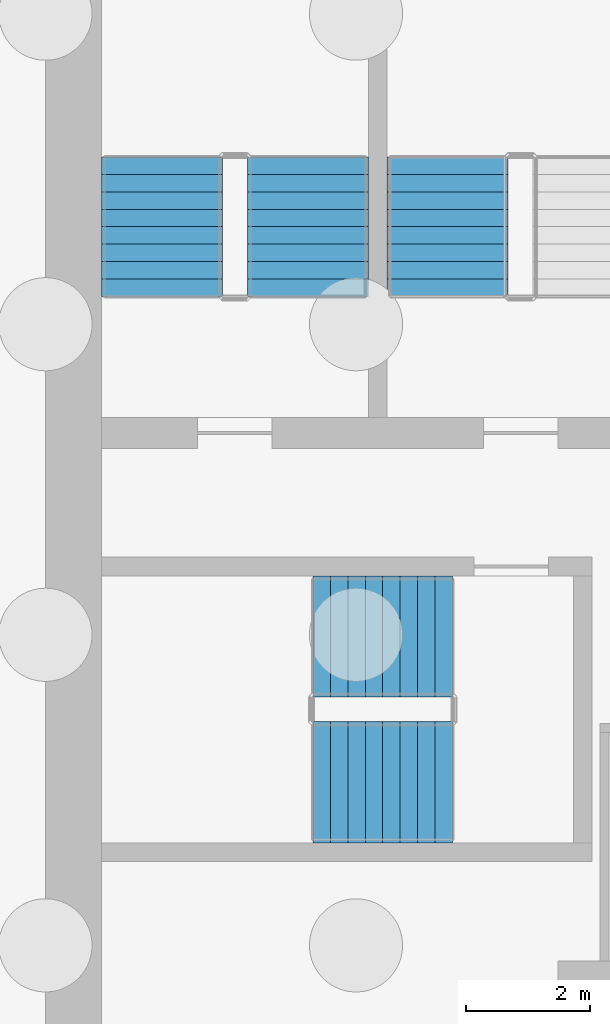
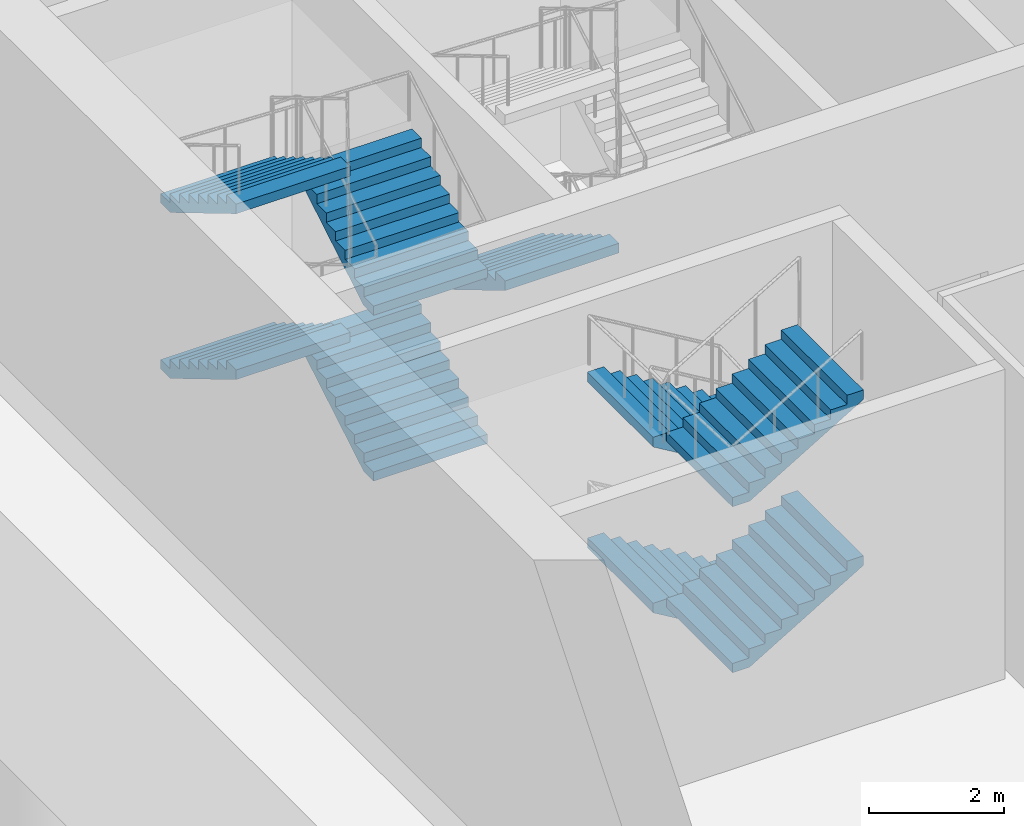
# One storey, part 12 of 25: 9 stair flights, 3 elements without a shape of their own.
"""IFC4 building model written with IfcOpenShell, lengths in metres."""

import ifcopenshell
import ifcopenshell.guid

model = None  # the IFC model being written
_history = None  # IfcOwnerHistory: only IFC2X3 demands one
_inside = {}  # id of a spatial element -> (the spatial element, [elements in it])
_under = {}  # id of a project, library or spatial element -> (it, [spatial elements below it])
_declared = {}  # id of a project -> (the project, [libraries it declares])
_typed = {}  # id of a type object -> (the type object, [elements of that type])
_made_of = {}  # id of a material, layer set ... -> (it, [elements and type objects made of it])


def new_model(schema):
    """Start an empty IFC model of exactly this schema.

    Asked for "IFC4X3", IfcOpenShell would pick the latest addendum, in which some entities
    have other attributes; the version numbers below select the first issue.
    IFC2X3 requires an IfcOwnerHistory on every rooted entity: one is made here for all.
    """
    global model, _history
    if schema == "IFC4X3":
        model = ifcopenshell.file(schema_version=(4, 3, 0, 0))
    else:
        model = ifcopenshell.file(schema=schema)
    _inside.clear()
    _under.clear()
    _declared.clear()
    _typed.clear()
    _made_of.clear()
    _history = None
    if model.schema == "IFC2X3":
        org = make("IfcOrganization", Name="unknown")
        user = make(
            "IfcPersonAndOrganization",
            ThePerson=make("IfcPerson", FamilyName="unknown"),
            TheOrganization=org,
        )
        app = make(
            "IfcApplication",
            ApplicationDeveloper=org,
            Version="unknown",
            ApplicationFullName="unknown",
            ApplicationIdentifier="unknown",
        )
        _history = make(
            "IfcOwnerHistory",
            OwningUser=user,
            OwningApplication=app,
            ChangeAction="ADDED",
            CreationDate=0,
        )
    return model


def make(cls, **values):
    """One entity of the class cls with the attributes given. An attribute that is None is left unset."""
    return model.create_entity(
        cls, **{name: value for name, value in values.items() if value is not None}
    )


def rooted(cls, **values):
    """An entity with a GlobalId (a new one), such as an element, a storey or a relation."""
    return make(cls, GlobalId=ifcopenshell.guid.new(), OwnerHistory=_history, **values)


def si_unit(unit_type, name, prefix=None):
    """IfcSIUnit, for example si_unit("LENGTHUNIT", "METRE", prefix="MILLI")."""
    return make("IfcSIUnit", UnitType=unit_type, Prefix=prefix, Name=name)


def assignment(units):
    """IfcUnitAssignment: the units of a project."""
    return None if units is None else make("IfcUnitAssignment", Units=units)


def point(xyz):
    """IfcCartesianPoint."""
    return None if xyz is None else make("IfcCartesianPoint", Coordinates=xyz)


def direction(xyz):
    """IfcDirection."""
    return None if xyz is None else make("IfcDirection", DirectionRatios=xyz)


def frame(location, z_axis=None, x_axis=None):
    """IfcAxis2Placement3D, a coordinate frame: its origin and axes. An axis left out is left unset."""
    return make(
        "IfcAxis2Placement3D",
        Location=point(location),
        Axis=direction(z_axis),
        RefDirection=direction(x_axis),
    )


def origin():
    """The frame at (0, 0, 0) with its axes left unset."""
    return frame((0.0, 0.0, 0.0))


def place(relative_to, where):
    """IfcLocalPlacement: puts the frame where relative to a parent placement (None: the world)."""
    return make(
        "IfcLocalPlacement", PlacementRelTo=relative_to, RelativePlacement=where
    )


def context(
    kind, dimensions, precision=None, world=None, true_north=None, identifier=None
):
    """IfcGeometricRepresentationContext, for example the 3D "Model" context."""
    return make(
        "IfcGeometricRepresentationContext",
        ContextIdentifier=identifier,
        ContextType=kind,
        CoordinateSpaceDimension=dimensions,
        Precision=precision,
        WorldCoordinateSystem=world,
        TrueNorth=true_north,
    )


def subcontext(parent, identifier, kind, view, scale=None):
    """IfcGeometricRepresentationSubContext, for example "Body" below "Model"."""
    return make(
        "IfcGeometricRepresentationSubContext",
        ContextIdentifier=identifier,
        ContextType=kind,
        ParentContext=parent,
        TargetScale=scale,
        TargetView=view,
    )


def project(units=None, contexts=None):
    """IfcProject with its units and contexts."""
    return rooted(
        "IfcProject",
        Name="project",
        RepresentationContexts=contexts,
        UnitsInContext=assignment(units),
    )


def spatial(cls, under=None, at=None, **own):
    """A site, building, storey or space (cls), placed at a placement, below another one or the project."""
    s = rooted(cls, ObjectPlacement=at, **own)
    if under is not None:
        _under.setdefault(under.id(), (under, []))[1].append(s)
    return s


def polyline(points):
    """IfcPolyline through the points."""
    return make("IfcPolyline", Points=[point(p) for p in points])


def outline(outer, holes=None, kind="AREA"):
    """IfcArbitraryClosedProfileDef: a profile drawn as a closed curve; with holes, ...WithVoids."""
    if holes is None:
        return make("IfcArbitraryClosedProfileDef", ProfileType=kind, OuterCurve=outer)
    return make(
        "IfcArbitraryProfileDefWithVoids",
        ProfileType=kind,
        OuterCurve=outer,
        InnerCurves=holes,
    )


def extrude(swept, where, along, depth):
    """IfcExtrudedAreaSolid: the profile swept, set in the frame where, extruded along a direction by depth."""
    return make(
        "IfcExtrudedAreaSolid",
        SweptArea=swept,
        Position=where,
        ExtrudedDirection=direction(along),
        Depth=depth,
    )


def shape(context_of_items, identifier, shape_type, items):
    """IfcShapeRepresentation: the items that make up one representation, for example the "Body"."""
    return make(
        "IfcShapeRepresentation",
        ContextOfItems=context_of_items,
        RepresentationIdentifier=identifier,
        RepresentationType=shape_type,
        Items=items,
    )


def material(Name=None, Category=None):
    """IfcMaterial."""
    return make("IfcMaterial", Name=Name, Category=Category)


def made_of(thing, what):
    """Note that an element or type object is made of a material, layer set ...; save() writes the relation."""
    if what is not None:
        _made_of.setdefault(what.id(), (what, []))[1].append(thing)
    return thing


def type_object(cls, material=None, **own):
    """A type object (cls), such as IfcWallType, which elements share."""
    return made_of(rooted(cls, **own), material)


def element(
    cls,
    number,
    at=None,
    inside=None,
    cuts=None,
    type_object=None,
    material=None,
    context=None,
    identifier="Body",
    shape_type=None,
    held_by="IfcProductDefinitionShape",
    body=None,
    shapes=None,
    **own,
):
    """One element of the class cls, such as IfcWall. Its Tag is "e" and its number.

    at: its placement. inside: the storey or other place that contains it. cuts: it is an
    opening in that element (IfcRelVoidsElement). A single representation is given by context,
    identifier, shape_type and body (its items); several are given by shapes. held_by: the class
    of the entity that holds the representations. save() writes the other relations.
    """
    e = rooted(cls, Tag="e%d" % number, ObjectPlacement=at, **own)
    if body is not None:
        shapes = [shape(context, identifier, shape_type, body)]
    if shapes is not None:
        e.Representation = make(held_by, Representations=shapes)
    if inside is not None:
        _inside.setdefault(inside.id(), (inside, []))[1].append(e)
    if cuts is not None:
        rooted(
            "IfcRelVoidsElement", RelatingBuildingElement=cuts, RelatedOpeningElement=e
        )
    if type_object is not None:
        _typed.setdefault(type_object.id(), (type_object, []))[1].append(e)
    return made_of(e, material)


def aggregate(whole, parts):
    """IfcRelAggregates: a whole, such as a stair, and the parts it consists of."""
    return rooted("IfcRelAggregates", RelatingObject=whole, RelatedObjects=parts)


def save(model, path):
    """Write the relations noted so far, then the file.

    IfcRelAggregates (storeys below a building ...), IfcRelContainedInSpatialStructure (elements
    in a storey), IfcRelDefinesByType, IfcRelAssociatesMaterial and IfcRelDeclares: one each for
    every whole, place, type object, material and project.
    """
    for whole, parts in _under.values():
        aggregate(whole, parts)
    for where, things in _inside.values():
        rooted(
            "IfcRelContainedInSpatialStructure",
            RelatedElements=things,
            RelatingStructure=where,
        )
    for kind, things in _typed.values():
        rooted("IfcRelDefinesByType", RelatedObjects=things, RelatingType=kind)
    for what, things in _made_of.values():
        rooted("IfcRelAssociatesMaterial", RelatedObjects=things, RelatingMaterial=what)
    for by, libraries in _declared.values():
        rooted("IfcRelDeclares", RelatingContext=by, RelatedDefinitions=libraries)
    model.write(path)


model = new_model("IFC4")

# Units and contexts
model_context = context("Model", 3, precision=1e-05, world=origin(), true_north=direction((0.0, 1.0)))
body_context = subcontext(model_context, "Body", "Model", "MODEL_VIEW")
ifc_project = project(units=[si_unit("LENGTHUNIT", "METRE"), si_unit("AREAUNIT", "SQUARE_METRE"), si_unit("VOLUMEUNIT", "CUBIC_METRE"), si_unit("PLANEANGLEUNIT", "RADIAN"), si_unit("MASSUNIT", "GRAM", prefix="KILO")], contexts=[model_context])

# Site, building, storey
site_placement = place(None, origin())
site = spatial("IfcSite", under=ifc_project, at=site_placement, CompositionType="ELEMENT")
building_placement = place(site_placement, origin())
building = spatial("IfcBuilding", under=site, at=building_placement, Name="Hunhe Ridgeline Campus", CompositionType="ELEMENT")
storey_placement = place(building_placement, frame((0.0, 0.0, -6.0)))
storey = spatial("IfcBuildingStorey", under=building, at=storey_placement, Name="B1", CompositionType="ELEMENT", Elevation=-6.0)

# Stair, stair flights
ifc_material = material(Name="Concrete C40", Category="concrete")
stair_type = type_object("IfcStairType", Name="Reinforced concrete dog-leg stair 1950 Concrete C40", PredefinedType="HALF_TURN_STAIR", material=ifc_material)
stair_1_placement = place(storey_placement, origin())
stair_1 = element("IfcStair", 1, at=stair_1_placement, inside=storey, type_object=stair_type, Name="B1 S3", PredefinedType="HALF_TURN_STAIR")
stair_flight_type = type_object("IfcStairFlightType", Name="Reinforced concrete stair flight 1950 Concrete C40", PredefinedType="STRAIGHT", material=ifc_material)
stair_flight_1_placement = place(storey_placement, frame((4.22509765625, 65.449951171875, 0.0), z_axis=(0.0, 0.0, 1.0), x_axis=(0.0, 1.0, 0.0)))
stair_flight_1 = element("IfcStairFlight", 2, at=stair_flight_1_placement, type_object=stair_flight_type, Name="ST3 flight 1", NumberOfRisers=9, NumberOfTreads=8, PredefinedType="STRAIGHT", RiserHeight=0.166666667, TreadLength=0.28, context=body_context, shape_type="SweptSolid", body=[
    extrude(outline(polyline([(0.0, 0.0), (0.0, 0.166748046875), (0.280029296875, 0.166748046875), (0.280029296875, 0.333251953125), (0.56005859375, 0.333251953125), (0.56005859375, 0.5), (0.840087890625, 0.5), (0.840087890625, 0.666748046875), (1.1201171875, 0.666748046875), (1.1201171875, 0.833251953125), (1.39990234375, 0.833251953125), (1.39990234375, 1.0), (1.679931640625, 1.0), (1.679931640625, 1.166748046875), (1.9599609375, 1.166748046875), (1.9599609375, 1.333251953125), (2.239990234375, 1.333251953125), (2.239990234375, 1.5), (2.239990234375, 1.158935546875), (0.29296875, 0.0), (0.0, 0.0)])), frame((0.0, 0.97509765625, 0.0), z_axis=(0.0, -1.0, 0.0), x_axis=(1.0, 0.0, 0.0)), (0.0, 0.0, 1.0), 1.949951171875),
    extrude(outline(polyline([(0.030029296875, 0.030029296875), (0.030029296875, 0.13671875), (0.31005859375, 0.13671875), (0.31005859375, 0.30322265625), (0.590087890625, 0.30322265625), (0.590087890625, 0.469970703125), (0.8701171875, 0.469970703125), (0.8701171875, 0.63671875), (1.14990234375, 0.63671875), (1.14990234375, 0.80322265625), (1.429931640625, 0.80322265625), (1.429931640625, 0.969970703125), (1.7099609375, 0.969970703125), (1.7099609375, 1.13671875), (1.989990234375, 1.13671875), (1.989990234375, 1.30322265625), (2.2099609375, 1.30322265625), (2.2099609375, 1.17578125), (0.284912109375, 0.030029296875), (0.030029296875, 0.030029296875)])), frame((0.0, -0.070068359375, 0.0), z_axis=(0.0, -1.0, 0.0), x_axis=(1.0, 0.0, 0.0)), (0.0, 0.0, 1.0), 0.019775390625),
    extrude(outline(polyline([(0.030029296875, 0.030029296875), (0.030029296875, 0.13671875), (0.31005859375, 0.13671875), (0.31005859375, 0.30322265625), (0.590087890625, 0.30322265625), (0.590087890625, 0.469970703125), (0.8701171875, 0.469970703125), (0.8701171875, 0.63671875), (1.14990234375, 0.63671875), (1.14990234375, 0.80322265625), (1.429931640625, 0.80322265625), (1.429931640625, 0.969970703125), (1.7099609375, 0.969970703125), (1.7099609375, 1.13671875), (1.989990234375, 1.13671875), (1.989990234375, 1.30322265625), (2.2099609375, 1.30322265625), (2.2099609375, 1.17578125), (0.284912109375, 0.030029296875), (0.030029296875, 0.030029296875)])), frame((0.0, 0.010009765625, 0.0), z_axis=(0.0, -1.0, 0.0), x_axis=(1.0, 0.0, 0.0)), (0.0, 0.0, 1.0), 0.019775390625),
    extrude(outline(polyline([(0.030029296875, 0.030029296875), (0.030029296875, 0.13671875), (0.31005859375, 0.13671875), (0.31005859375, 0.30322265625), (0.590087890625, 0.30322265625), (0.590087890625, 0.469970703125), (0.8701171875, 0.469970703125), (0.8701171875, 0.63671875), (1.14990234375, 0.63671875), (1.14990234375, 0.80322265625), (1.429931640625, 0.80322265625), (1.429931640625, 0.969970703125), (1.7099609375, 0.969970703125), (1.7099609375, 1.13671875), (1.989990234375, 1.13671875), (1.989990234375, 1.30322265625), (2.2099609375, 1.30322265625), (2.2099609375, 1.17578125), (0.284912109375, 0.030029296875), (0.030029296875, 0.030029296875)])), frame((0.0, 0.090087890625, 0.0), z_axis=(0.0, -1.0, 0.0), x_axis=(1.0, 0.0, 0.0)), (0.0, 0.0, 1.0), 0.019775390625),
])
stair_flight_2_placement = place(storey_placement, frame((1.875, 67.68994140625, 1.5), z_axis=(0.0, 0.0, 1.0), x_axis=(0.0, -1.0, 0.0)))
stair_flight_2 = element("IfcStairFlight", 3, at=stair_flight_2_placement, type_object=stair_flight_type, Name="ST3 flight 2", NumberOfRisers=9, NumberOfTreads=8, PredefinedType="STRAIGHT", RiserHeight=0.166666667, TreadLength=0.28, context=body_context, shape_type="SweptSolid", body=[
    extrude(outline(polyline([(0.0, 0.0), (0.0, 0.166748046875), (0.280029296875, 0.166748046875), (0.280029296875, 0.333251953125), (0.56005859375, 0.333251953125), (0.56005859375, 0.5), (0.840087890625, 0.5), (0.840087890625, 0.666748046875), (1.1201171875, 0.666748046875), (1.1201171875, 0.833251953125), (1.39990234375, 0.833251953125), (1.39990234375, 1.0), (1.679931640625, 1.0), (1.679931640625, 1.166748046875), (1.9599609375, 1.166748046875), (1.9599609375, 1.333251953125), (2.239990234375, 1.333251953125), (2.239990234375, 1.5), (2.239990234375, 1.158935546875), (0.29296875, 0.0), (0.0, 0.0)])), frame((0.0, 0.97509765625, 0.0), z_axis=(0.0, -1.0, 0.0), x_axis=(1.0, 0.0, 0.0)), (0.0, 0.0, 1.0), 1.949951171875),
    extrude(outline(polyline([(0.030029296875, 0.030029296875), (0.030029296875, 0.13671875), (0.31005859375, 0.13671875), (0.31005859375, 0.30322265625), (0.590087890625, 0.30322265625), (0.590087890625, 0.469970703125), (0.8701171875, 0.469970703125), (0.8701171875, 0.63671875), (1.14990234375, 0.63671875), (1.14990234375, 0.80322265625), (1.429931640625, 0.80322265625), (1.429931640625, 0.969970703125), (1.7099609375, 0.969970703125), (1.7099609375, 1.13671875), (1.989990234375, 1.13671875), (1.989990234375, 1.30322265625), (2.2099609375, 1.30322265625), (2.2099609375, 1.17578125), (0.284912109375, 0.030029296875), (0.030029296875, 0.030029296875)])), frame((0.0, -0.070068359375, 0.0), z_axis=(0.0, -1.0, 0.0), x_axis=(1.0, 0.0, 0.0)), (0.0, 0.0, 1.0), 0.019775390625),
    extrude(outline(polyline([(0.030029296875, 0.030029296875), (0.030029296875, 0.13671875), (0.31005859375, 0.13671875), (0.31005859375, 0.30322265625), (0.590087890625, 0.30322265625), (0.590087890625, 0.469970703125), (0.8701171875, 0.469970703125), (0.8701171875, 0.63671875), (1.14990234375, 0.63671875), (1.14990234375, 0.80322265625), (1.429931640625, 0.80322265625), (1.429931640625, 0.969970703125), (1.7099609375, 0.969970703125), (1.7099609375, 1.13671875), (1.989990234375, 1.13671875), (1.989990234375, 1.30322265625), (2.2099609375, 1.30322265625), (2.2099609375, 1.17578125), (0.284912109375, 0.030029296875), (0.030029296875, 0.030029296875)])), frame((0.0, 0.010009765625, 0.0), z_axis=(0.0, -1.0, 0.0), x_axis=(1.0, 0.0, 0.0)), (0.0, 0.0, 1.0), 0.019775390625),
    extrude(outline(polyline([(0.030029296875, 0.030029296875), (0.030029296875, 0.13671875), (0.31005859375, 0.13671875), (0.31005859375, 0.30322265625), (0.590087890625, 0.30322265625), (0.590087890625, 0.469970703125), (0.8701171875, 0.469970703125), (0.8701171875, 0.63671875), (1.14990234375, 0.63671875), (1.14990234375, 0.80322265625), (1.429931640625, 0.80322265625), (1.429931640625, 0.969970703125), (1.7099609375, 0.969970703125), (1.7099609375, 1.13671875), (1.989990234375, 1.13671875), (1.989990234375, 1.30322265625), (2.2099609375, 1.30322265625), (2.2099609375, 1.17578125), (0.284912109375, 0.030029296875), (0.030029296875, 0.030029296875)])), frame((0.0, 0.090087890625, 0.0), z_axis=(0.0, -1.0, 0.0), x_axis=(1.0, 0.0, 0.0)), (0.0, 0.0, 1.0), 0.019775390625),
])
stair_flight_3_placement = place(storey_placement, frame((4.22509765625, 65.449951171875, 3.0), z_axis=(0.0, 0.0, 1.0), x_axis=(0.0, 1.0, 0.0)))
stair_flight_3 = element("IfcStairFlight", 4, at=stair_flight_3_placement, type_object=stair_flight_type, Name="ST3 flight 3", NumberOfRisers=9, NumberOfTreads=8, PredefinedType="STRAIGHT", RiserHeight=0.166666667, TreadLength=0.28, context=body_context, shape_type="SweptSolid", body=[
    extrude(outline(polyline([(0.0, 0.0), (0.0, 0.166748046875), (0.280029296875, 0.166748046875), (0.280029296875, 0.333251953125), (0.56005859375, 0.333251953125), (0.56005859375, 0.5), (0.840087890625, 0.5), (0.840087890625, 0.666748046875), (1.1201171875, 0.666748046875), (1.1201171875, 0.833251953125), (1.39990234375, 0.833251953125), (1.39990234375, 1.0), (1.679931640625, 1.0), (1.679931640625, 1.166748046875), (1.9599609375, 1.166748046875), (1.9599609375, 1.333251953125), (2.239990234375, 1.333251953125), (2.239990234375, 1.5), (2.239990234375, 1.158935546875), (0.29296875, 0.0), (0.0, 0.0)])), frame((0.0, 0.97509765625, 0.0), z_axis=(0.0, -1.0, 0.0), x_axis=(1.0, 0.0, 0.0)), (0.0, 0.0, 1.0), 1.949951171875),
    extrude(outline(polyline([(0.030029296875, 0.030029296875), (0.030029296875, 0.13671875), (0.31005859375, 0.13671875), (0.31005859375, 0.30322265625), (0.590087890625, 0.30322265625), (0.590087890625, 0.469970703125), (0.8701171875, 0.469970703125), (0.8701171875, 0.63671875), (1.14990234375, 0.63671875), (1.14990234375, 0.80322265625), (1.429931640625, 0.80322265625), (1.429931640625, 0.969970703125), (1.7099609375, 0.969970703125), (1.7099609375, 1.13671875), (1.989990234375, 1.13671875), (1.989990234375, 1.30322265625), (2.2099609375, 1.30322265625), (2.2099609375, 1.17578125), (0.284912109375, 0.030029296875), (0.030029296875, 0.030029296875)])), frame((0.0, -0.070068359375, 0.0), z_axis=(0.0, -1.0, 0.0), x_axis=(1.0, 0.0, 0.0)), (0.0, 0.0, 1.0), 0.019775390625),
    extrude(outline(polyline([(0.030029296875, 0.030029296875), (0.030029296875, 0.13671875), (0.31005859375, 0.13671875), (0.31005859375, 0.30322265625), (0.590087890625, 0.30322265625), (0.590087890625, 0.469970703125), (0.8701171875, 0.469970703125), (0.8701171875, 0.63671875), (1.14990234375, 0.63671875), (1.14990234375, 0.80322265625), (1.429931640625, 0.80322265625), (1.429931640625, 0.969970703125), (1.7099609375, 0.969970703125), (1.7099609375, 1.13671875), (1.989990234375, 1.13671875), (1.989990234375, 1.30322265625), (2.2099609375, 1.30322265625), (2.2099609375, 1.17578125), (0.284912109375, 0.030029296875), (0.030029296875, 0.030029296875)])), frame((0.0, 0.010009765625, 0.0), z_axis=(0.0, -1.0, 0.0), x_axis=(1.0, 0.0, 0.0)), (0.0, 0.0, 1.0), 0.019775390625),
    extrude(outline(polyline([(0.030029296875, 0.030029296875), (0.030029296875, 0.13671875), (0.31005859375, 0.13671875), (0.31005859375, 0.30322265625), (0.590087890625, 0.30322265625), (0.590087890625, 0.469970703125), (0.8701171875, 0.469970703125), (0.8701171875, 0.63671875), (1.14990234375, 0.63671875), (1.14990234375, 0.80322265625), (1.429931640625, 0.80322265625), (1.429931640625, 0.969970703125), (1.7099609375, 0.969970703125), (1.7099609375, 1.13671875), (1.989990234375, 1.13671875), (1.989990234375, 1.30322265625), (2.2099609375, 1.30322265625), (2.2099609375, 1.17578125), (0.284912109375, 0.030029296875), (0.030029296875, 0.030029296875)])), frame((0.0, 0.090087890625, 0.0), z_axis=(0.0, -1.0, 0.0), x_axis=(1.0, 0.0, 0.0)), (0.0, 0.0, 1.0), 0.019775390625),
])
stair_flight_4_placement = place(storey_placement, frame((1.875, 67.68994140625, 4.5), z_axis=(0.0, 0.0, 1.0), x_axis=(0.0, -1.0, 0.0)))
stair_flight_4 = element("IfcStairFlight", 5, at=stair_flight_4_placement, type_object=stair_flight_type, Name="ST3 flight 4", NumberOfRisers=9, NumberOfTreads=8, PredefinedType="STRAIGHT", RiserHeight=0.166666667, TreadLength=0.28, context=body_context, shape_type="SweptSolid", body=[
    extrude(outline(polyline([(0.0, 0.0), (0.0, 0.166748046875), (0.280029296875, 0.166748046875), (0.280029296875, 0.333251953125), (0.56005859375, 0.333251953125), (0.56005859375, 0.5), (0.840087890625, 0.5), (0.840087890625, 0.666748046875), (1.1201171875, 0.666748046875), (1.1201171875, 0.833251953125), (1.39990234375, 0.833251953125), (1.39990234375, 1.0), (1.679931640625, 1.0), (1.679931640625, 1.166748046875), (1.9599609375, 1.166748046875), (1.9599609375, 1.333251953125), (2.239990234375, 1.333251953125), (2.239990234375, 1.5), (2.239990234375, 1.158935546875), (0.29296875, 0.0), (0.0, 0.0)])), frame((0.0, 0.97509765625, 0.0), z_axis=(0.0, -1.0, 0.0), x_axis=(1.0, 0.0, 0.0)), (0.0, 0.0, 1.0), 1.949951171875),
    extrude(outline(polyline([(0.030029296875, 0.030029296875), (0.030029296875, 0.13671875), (0.31005859375, 0.13671875), (0.31005859375, 0.30322265625), (0.590087890625, 0.30322265625), (0.590087890625, 0.469970703125), (0.8701171875, 0.469970703125), (0.8701171875, 0.63671875), (1.14990234375, 0.63671875), (1.14990234375, 0.80322265625), (1.429931640625, 0.80322265625), (1.429931640625, 0.969970703125), (1.7099609375, 0.969970703125), (1.7099609375, 1.13671875), (1.989990234375, 1.13671875), (1.989990234375, 1.30322265625), (2.2099609375, 1.30322265625), (2.2099609375, 1.17578125), (0.284912109375, 0.030029296875), (0.030029296875, 0.030029296875)])), frame((0.0, -0.070068359375, 0.0), z_axis=(0.0, -1.0, 0.0), x_axis=(1.0, 0.0, 0.0)), (0.0, 0.0, 1.0), 0.019775390625),
    extrude(outline(polyline([(0.030029296875, 0.030029296875), (0.030029296875, 0.13671875), (0.31005859375, 0.13671875), (0.31005859375, 0.30322265625), (0.590087890625, 0.30322265625), (0.590087890625, 0.469970703125), (0.8701171875, 0.469970703125), (0.8701171875, 0.63671875), (1.14990234375, 0.63671875), (1.14990234375, 0.80322265625), (1.429931640625, 0.80322265625), (1.429931640625, 0.969970703125), (1.7099609375, 0.969970703125), (1.7099609375, 1.13671875), (1.989990234375, 1.13671875), (1.989990234375, 1.30322265625), (2.2099609375, 1.30322265625), (2.2099609375, 1.17578125), (0.284912109375, 0.030029296875), (0.030029296875, 0.030029296875)])), frame((0.0, 0.010009765625, 0.0), z_axis=(0.0, -1.0, 0.0), x_axis=(1.0, 0.0, 0.0)), (0.0, 0.0, 1.0), 0.019775390625),
    extrude(outline(polyline([(0.030029296875, 0.030029296875), (0.030029296875, 0.13671875), (0.31005859375, 0.13671875), (0.31005859375, 0.30322265625), (0.590087890625, 0.30322265625), (0.590087890625, 0.469970703125), (0.8701171875, 0.469970703125), (0.8701171875, 0.63671875), (1.14990234375, 0.63671875), (1.14990234375, 0.80322265625), (1.429931640625, 0.80322265625), (1.429931640625, 0.969970703125), (1.7099609375, 0.969970703125), (1.7099609375, 1.13671875), (1.989990234375, 1.13671875), (1.989990234375, 1.30322265625), (2.2099609375, 1.30322265625), (2.2099609375, 1.17578125), (0.284912109375, 0.030029296875), (0.030029296875, 0.030029296875)])), frame((0.0, 0.090087890625, 0.0), z_axis=(0.0, -1.0, 0.0), x_axis=(1.0, 0.0, 0.0)), (0.0, 0.0, 1.0), 0.019775390625),
])
aggregate(stair_1, [stair_flight_1, stair_flight_2, stair_flight_3, stair_flight_4])

# Stair, stair flight
stair_2_placement = place(storey_placement, origin())
stair_2 = element("IfcStair", 6, at=stair_2_placement, inside=storey, type_object=stair_type, Name="B1 S4", PredefinedType="HALF_TURN_STAIR")
stair_flight_5_placement = place(storey_placement, frame((6.47509765625, 67.68994140625, 1.5), z_axis=(0.0, 0.0, 1.0), x_axis=(0.0, -1.0, 0.0)))
stair_flight_5 = element("IfcStairFlight", 7, at=stair_flight_5_placement, type_object=stair_flight_type, Name="ST4 flight 2", NumberOfRisers=9, NumberOfTreads=8, PredefinedType="STRAIGHT", RiserHeight=0.166666667, TreadLength=0.28, context=body_context, shape_type="SweptSolid", body=[
    extrude(outline(polyline([(0.0, 0.0), (0.0, 0.166748046875), (0.280029296875, 0.166748046875), (0.280029296875, 0.333251953125), (0.56005859375, 0.333251953125), (0.56005859375, 0.5), (0.840087890625, 0.5), (0.840087890625, 0.666748046875), (1.1201171875, 0.666748046875), (1.1201171875, 0.833251953125), (1.39990234375, 0.833251953125), (1.39990234375, 1.0), (1.679931640625, 1.0), (1.679931640625, 1.166748046875), (1.9599609375, 1.166748046875), (1.9599609375, 1.333251953125), (2.239990234375, 1.333251953125), (2.239990234375, 1.5), (2.239990234375, 1.158935546875), (0.29296875, 0.0), (0.0, 0.0)])), frame((0.0, 0.97509765625, 0.0), z_axis=(0.0, -1.0, 0.0), x_axis=(1.0, 0.0, 0.0)), (0.0, 0.0, 1.0), 1.949951171875),
    extrude(outline(polyline([(0.030029296875, 0.030029296875), (0.030029296875, 0.13671875), (0.31005859375, 0.13671875), (0.31005859375, 0.30322265625), (0.590087890625, 0.30322265625), (0.590087890625, 0.469970703125), (0.8701171875, 0.469970703125), (0.8701171875, 0.63671875), (1.14990234375, 0.63671875), (1.14990234375, 0.80322265625), (1.429931640625, 0.80322265625), (1.429931640625, 0.969970703125), (1.7099609375, 0.969970703125), (1.7099609375, 1.13671875), (1.989990234375, 1.13671875), (1.989990234375, 1.30322265625), (2.2099609375, 1.30322265625), (2.2099609375, 1.17578125), (0.284912109375, 0.030029296875), (0.030029296875, 0.030029296875)])), frame((0.0, -0.070068359375, 0.0), z_axis=(0.0, -1.0, 0.0), x_axis=(1.0, 0.0, 0.0)), (0.0, 0.0, 1.0), 0.019775390625),
    extrude(outline(polyline([(0.030029296875, 0.030029296875), (0.030029296875, 0.13671875), (0.31005859375, 0.13671875), (0.31005859375, 0.30322265625), (0.590087890625, 0.30322265625), (0.590087890625, 0.469970703125), (0.8701171875, 0.469970703125), (0.8701171875, 0.63671875), (1.14990234375, 0.63671875), (1.14990234375, 0.80322265625), (1.429931640625, 0.80322265625), (1.429931640625, 0.969970703125), (1.7099609375, 0.969970703125), (1.7099609375, 1.13671875), (1.989990234375, 1.13671875), (1.989990234375, 1.30322265625), (2.2099609375, 1.30322265625), (2.2099609375, 1.17578125), (0.284912109375, 0.030029296875), (0.030029296875, 0.030029296875)])), frame((0.0, 0.010009765625, 0.0), z_axis=(0.0, -1.0, 0.0), x_axis=(1.0, 0.0, 0.0)), (0.0, 0.0, 1.0), 0.019775390625),
    extrude(outline(polyline([(0.030029296875, 0.030029296875), (0.030029296875, 0.13671875), (0.31005859375, 0.13671875), (0.31005859375, 0.30322265625), (0.590087890625, 0.30322265625), (0.590087890625, 0.469970703125), (0.8701171875, 0.469970703125), (0.8701171875, 0.63671875), (1.14990234375, 0.63671875), (1.14990234375, 0.80322265625), (1.429931640625, 0.80322265625), (1.429931640625, 0.969970703125), (1.7099609375, 0.969970703125), (1.7099609375, 1.13671875), (1.989990234375, 1.13671875), (1.989990234375, 1.30322265625), (2.2099609375, 1.30322265625), (2.2099609375, 1.17578125), (0.284912109375, 0.030029296875), (0.030029296875, 0.030029296875)])), frame((0.0, 0.090087890625, 0.0), z_axis=(0.0, -1.0, 0.0), x_axis=(1.0, 0.0, 0.0)), (0.0, 0.0, 1.0), 0.019775390625),
])
aggregate(stair_2, [stair_flight_5])

# Stair, stair flights
stair_3_placement = place(storey_placement, origin())
stair_3 = element("IfcStair", 8, at=stair_3_placement, inside=storey, type_object=stair_type, Name="B1 W2", PredefinedType="HALF_TURN_STAIR")
stair_flight_6_placement = place(storey_placement, frame((6.550048828125, 59.97509765625, 0.0), z_axis=(0.0, 0.0, 1.0), x_axis=(-1.0, 0.0, 0.0)))
stair_flight_6 = element("IfcStairFlight", 9, at=stair_flight_6_placement, type_object=stair_flight_type, Name="ST12 flight 1", NumberOfRisers=9, NumberOfTreads=8, PredefinedType="STRAIGHT", RiserHeight=0.166666667, TreadLength=0.28, context=body_context, shape_type="SweptSolid", body=[
    extrude(outline(polyline([(0.0, 0.0), (0.0, 0.166748046875), (0.280029296875, 0.166748046875), (0.280029296875, 0.333251953125), (0.56005859375, 0.333251953125), (0.56005859375, 0.5), (0.840087890625, 0.5), (0.840087890625, 0.666748046875), (1.1201171875, 0.666748046875), (1.1201171875, 0.833251953125), (1.39990234375, 0.833251953125), (1.39990234375, 1.0), (1.679931640625, 1.0), (1.679931640625, 1.166748046875), (1.9599609375, 1.166748046875), (1.9599609375, 1.333251953125), (2.239990234375, 1.333251953125), (2.239990234375, 1.5), (2.239990234375, 1.158935546875), (0.29296875, 0.0), (0.0, 0.0)])), frame((0.0, 0.97509765625, 0.0), z_axis=(0.0, -1.0, 0.0), x_axis=(1.0, 0.0, 0.0)), (0.0, 0.0, 1.0), 1.949951171875),
    extrude(outline(polyline([(0.030029296875, 0.030029296875), (0.030029296875, 0.13671875), (0.31005859375, 0.13671875), (0.31005859375, 0.30322265625), (0.590087890625, 0.30322265625), (0.590087890625, 0.469970703125), (0.8701171875, 0.469970703125), (0.8701171875, 0.63671875), (1.14990234375, 0.63671875), (1.14990234375, 0.80322265625), (1.429931640625, 0.80322265625), (1.429931640625, 0.969970703125), (1.7099609375, 0.969970703125), (1.7099609375, 1.13671875), (1.989990234375, 1.13671875), (1.989990234375, 1.30322265625), (2.2099609375, 1.30322265625), (2.2099609375, 1.17578125), (0.284912109375, 0.030029296875), (0.030029296875, 0.030029296875)])), frame((0.0, -0.070068359375, 0.0), z_axis=(0.0, -1.0, 0.0), x_axis=(1.0, 0.0, 0.0)), (0.0, 0.0, 1.0), 0.019775390625),
    extrude(outline(polyline([(0.030029296875, 0.030029296875), (0.030029296875, 0.13671875), (0.31005859375, 0.13671875), (0.31005859375, 0.30322265625), (0.590087890625, 0.30322265625), (0.590087890625, 0.469970703125), (0.8701171875, 0.469970703125), (0.8701171875, 0.63671875), (1.14990234375, 0.63671875), (1.14990234375, 0.80322265625), (1.429931640625, 0.80322265625), (1.429931640625, 0.969970703125), (1.7099609375, 0.969970703125), (1.7099609375, 1.13671875), (1.989990234375, 1.13671875), (1.989990234375, 1.30322265625), (2.2099609375, 1.30322265625), (2.2099609375, 1.17578125), (0.284912109375, 0.030029296875), (0.030029296875, 0.030029296875)])), frame((0.0, 0.010009765625, 0.0), z_axis=(0.0, -1.0, 0.0), x_axis=(1.0, 0.0, 0.0)), (0.0, 0.0, 1.0), 0.019775390625),
    extrude(outline(polyline([(0.030029296875, 0.030029296875), (0.030029296875, 0.13671875), (0.31005859375, 0.13671875), (0.31005859375, 0.30322265625), (0.590087890625, 0.30322265625), (0.590087890625, 0.469970703125), (0.8701171875, 0.469970703125), (0.8701171875, 0.63671875), (1.14990234375, 0.63671875), (1.14990234375, 0.80322265625), (1.429931640625, 0.80322265625), (1.429931640625, 0.969970703125), (1.7099609375, 0.969970703125), (1.7099609375, 1.13671875), (1.989990234375, 1.13671875), (1.989990234375, 1.30322265625), (2.2099609375, 1.30322265625), (2.2099609375, 1.17578125), (0.284912109375, 0.030029296875), (0.030029296875, 0.030029296875)])), frame((0.0, 0.090087890625, 0.0), z_axis=(0.0, -1.0, 0.0), x_axis=(1.0, 0.0, 0.0)), (0.0, 0.0, 1.0), 0.019775390625),
])
stair_flight_7_placement = place(storey_placement, frame((4.31005859375, 57.625, 1.5), z_axis=(0.0, 0.0, 1.0), x_axis=(1.0, 0.0, 0.0)))
stair_flight_7 = element("IfcStairFlight", 10, at=stair_flight_7_placement, type_object=stair_flight_type, Name="ST12 flight 2", NumberOfRisers=9, NumberOfTreads=8, PredefinedType="STRAIGHT", RiserHeight=0.166666667, TreadLength=0.28, context=body_context, shape_type="SweptSolid", body=[
    extrude(outline(polyline([(0.0, 0.0), (0.0, 0.166748046875), (0.280029296875, 0.166748046875), (0.280029296875, 0.333251953125), (0.56005859375, 0.333251953125), (0.56005859375, 0.5), (0.840087890625, 0.5), (0.840087890625, 0.666748046875), (1.1201171875, 0.666748046875), (1.1201171875, 0.833251953125), (1.39990234375, 0.833251953125), (1.39990234375, 1.0), (1.679931640625, 1.0), (1.679931640625, 1.166748046875), (1.9599609375, 1.166748046875), (1.9599609375, 1.333251953125), (2.239990234375, 1.333251953125), (2.239990234375, 1.5), (2.239990234375, 1.158935546875), (0.29296875, 0.0), (0.0, 0.0)])), frame((0.0, 0.97509765625, 0.0), z_axis=(0.0, -1.0, 0.0), x_axis=(1.0, 0.0, 0.0)), (0.0, 0.0, 1.0), 1.949951171875),
    extrude(outline(polyline([(0.030029296875, 0.030029296875), (0.030029296875, 0.13671875), (0.31005859375, 0.13671875), (0.31005859375, 0.30322265625), (0.590087890625, 0.30322265625), (0.590087890625, 0.469970703125), (0.8701171875, 0.469970703125), (0.8701171875, 0.63671875), (1.14990234375, 0.63671875), (1.14990234375, 0.80322265625), (1.429931640625, 0.80322265625), (1.429931640625, 0.969970703125), (1.7099609375, 0.969970703125), (1.7099609375, 1.13671875), (1.989990234375, 1.13671875), (1.989990234375, 1.30322265625), (2.2099609375, 1.30322265625), (2.2099609375, 1.17578125), (0.284912109375, 0.030029296875), (0.030029296875, 0.030029296875)])), frame((0.0, -0.070068359375, 0.0), z_axis=(0.0, -1.0, 0.0), x_axis=(1.0, 0.0, 0.0)), (0.0, 0.0, 1.0), 0.019775390625),
    extrude(outline(polyline([(0.030029296875, 0.030029296875), (0.030029296875, 0.13671875), (0.31005859375, 0.13671875), (0.31005859375, 0.30322265625), (0.590087890625, 0.30322265625), (0.590087890625, 0.469970703125), (0.8701171875, 0.469970703125), (0.8701171875, 0.63671875), (1.14990234375, 0.63671875), (1.14990234375, 0.80322265625), (1.429931640625, 0.80322265625), (1.429931640625, 0.969970703125), (1.7099609375, 0.969970703125), (1.7099609375, 1.13671875), (1.989990234375, 1.13671875), (1.989990234375, 1.30322265625), (2.2099609375, 1.30322265625), (2.2099609375, 1.17578125), (0.284912109375, 0.030029296875), (0.030029296875, 0.030029296875)])), frame((0.0, 0.010009765625, 0.0), z_axis=(0.0, -1.0, 0.0), x_axis=(1.0, 0.0, 0.0)), (0.0, 0.0, 1.0), 0.019775390625),
    extrude(outline(polyline([(0.030029296875, 0.030029296875), (0.030029296875, 0.13671875), (0.31005859375, 0.13671875), (0.31005859375, 0.30322265625), (0.590087890625, 0.30322265625), (0.590087890625, 0.469970703125), (0.8701171875, 0.469970703125), (0.8701171875, 0.63671875), (1.14990234375, 0.63671875), (1.14990234375, 0.80322265625), (1.429931640625, 0.80322265625), (1.429931640625, 0.969970703125), (1.7099609375, 0.969970703125), (1.7099609375, 1.13671875), (1.989990234375, 1.13671875), (1.989990234375, 1.30322265625), (2.2099609375, 1.30322265625), (2.2099609375, 1.17578125), (0.284912109375, 0.030029296875), (0.030029296875, 0.030029296875)])), frame((0.0, 0.090087890625, 0.0), z_axis=(0.0, -1.0, 0.0), x_axis=(1.0, 0.0, 0.0)), (0.0, 0.0, 1.0), 0.019775390625),
])
stair_flight_8_placement = place(storey_placement, frame((6.550048828125, 59.97509765625, 3.0), z_axis=(0.0, 0.0, 1.0), x_axis=(-1.0, 0.0, 0.0)))
stair_flight_8 = element("IfcStairFlight", 11, at=stair_flight_8_placement, type_object=stair_flight_type, Name="ST12 flight 3", NumberOfRisers=9, NumberOfTreads=8, PredefinedType="STRAIGHT", RiserHeight=0.166666667, TreadLength=0.28, context=body_context, shape_type="SweptSolid", body=[
    extrude(outline(polyline([(0.0, 0.0), (0.0, 0.166748046875), (0.280029296875, 0.166748046875), (0.280029296875, 0.333251953125), (0.56005859375, 0.333251953125), (0.56005859375, 0.5), (0.840087890625, 0.5), (0.840087890625, 0.666748046875), (1.1201171875, 0.666748046875), (1.1201171875, 0.833251953125), (1.39990234375, 0.833251953125), (1.39990234375, 1.0), (1.679931640625, 1.0), (1.679931640625, 1.166748046875), (1.9599609375, 1.166748046875), (1.9599609375, 1.333251953125), (2.239990234375, 1.333251953125), (2.239990234375, 1.5), (2.239990234375, 1.158935546875), (0.29296875, 0.0), (0.0, 0.0)])), frame((0.0, 0.97509765625, 0.0), z_axis=(0.0, -1.0, 0.0), x_axis=(1.0, 0.0, 0.0)), (0.0, 0.0, 1.0), 1.949951171875),
    extrude(outline(polyline([(0.030029296875, 0.030029296875), (0.030029296875, 0.13671875), (0.31005859375, 0.13671875), (0.31005859375, 0.30322265625), (0.590087890625, 0.30322265625), (0.590087890625, 0.469970703125), (0.8701171875, 0.469970703125), (0.8701171875, 0.63671875), (1.14990234375, 0.63671875), (1.14990234375, 0.80322265625), (1.429931640625, 0.80322265625), (1.429931640625, 0.969970703125), (1.7099609375, 0.969970703125), (1.7099609375, 1.13671875), (1.989990234375, 1.13671875), (1.989990234375, 1.30322265625), (2.2099609375, 1.30322265625), (2.2099609375, 1.17578125), (0.284912109375, 0.030029296875), (0.030029296875, 0.030029296875)])), frame((0.0, -0.070068359375, 0.0), z_axis=(0.0, -1.0, 0.0), x_axis=(1.0, 0.0, 0.0)), (0.0, 0.0, 1.0), 0.019775390625),
    extrude(outline(polyline([(0.030029296875, 0.030029296875), (0.030029296875, 0.13671875), (0.31005859375, 0.13671875), (0.31005859375, 0.30322265625), (0.590087890625, 0.30322265625), (0.590087890625, 0.469970703125), (0.8701171875, 0.469970703125), (0.8701171875, 0.63671875), (1.14990234375, 0.63671875), (1.14990234375, 0.80322265625), (1.429931640625, 0.80322265625), (1.429931640625, 0.969970703125), (1.7099609375, 0.969970703125), (1.7099609375, 1.13671875), (1.989990234375, 1.13671875), (1.989990234375, 1.30322265625), (2.2099609375, 1.30322265625), (2.2099609375, 1.17578125), (0.284912109375, 0.030029296875), (0.030029296875, 0.030029296875)])), frame((0.0, 0.010009765625, 0.0), z_axis=(0.0, -1.0, 0.0), x_axis=(1.0, 0.0, 0.0)), (0.0, 0.0, 1.0), 0.019775390625),
    extrude(outline(polyline([(0.030029296875, 0.030029296875), (0.030029296875, 0.13671875), (0.31005859375, 0.13671875), (0.31005859375, 0.30322265625), (0.590087890625, 0.30322265625), (0.590087890625, 0.469970703125), (0.8701171875, 0.469970703125), (0.8701171875, 0.63671875), (1.14990234375, 0.63671875), (1.14990234375, 0.80322265625), (1.429931640625, 0.80322265625), (1.429931640625, 0.969970703125), (1.7099609375, 0.969970703125), (1.7099609375, 1.13671875), (1.989990234375, 1.13671875), (1.989990234375, 1.30322265625), (2.2099609375, 1.30322265625), (2.2099609375, 1.17578125), (0.284912109375, 0.030029296875), (0.030029296875, 0.030029296875)])), frame((0.0, 0.090087890625, 0.0), z_axis=(0.0, -1.0, 0.0), x_axis=(1.0, 0.0, 0.0)), (0.0, 0.0, 1.0), 0.019775390625),
])
stair_flight_9_placement = place(storey_placement, frame((4.31005859375, 57.625, 4.5), z_axis=(0.0, 0.0, 1.0), x_axis=(1.0, 0.0, 0.0)))
stair_flight_9 = element("IfcStairFlight", 12, at=stair_flight_9_placement, type_object=stair_flight_type, Name="ST12 flight 4", NumberOfRisers=9, NumberOfTreads=8, PredefinedType="STRAIGHT", RiserHeight=0.166666667, TreadLength=0.28, context=body_context, shape_type="SweptSolid", body=[
    extrude(outline(polyline([(0.0, 0.0), (0.0, 0.166748046875), (0.280029296875, 0.166748046875), (0.280029296875, 0.333251953125), (0.56005859375, 0.333251953125), (0.56005859375, 0.5), (0.840087890625, 0.5), (0.840087890625, 0.666748046875), (1.1201171875, 0.666748046875), (1.1201171875, 0.833251953125), (1.39990234375, 0.833251953125), (1.39990234375, 1.0), (1.679931640625, 1.0), (1.679931640625, 1.166748046875), (1.9599609375, 1.166748046875), (1.9599609375, 1.333251953125), (2.239990234375, 1.333251953125), (2.239990234375, 1.5), (2.239990234375, 1.158935546875), (0.29296875, 0.0), (0.0, 0.0)])), frame((0.0, 0.97509765625, 0.0), z_axis=(0.0, -1.0, 0.0), x_axis=(1.0, 0.0, 0.0)), (0.0, 0.0, 1.0), 1.949951171875),
    extrude(outline(polyline([(0.030029296875, 0.030029296875), (0.030029296875, 0.13671875), (0.31005859375, 0.13671875), (0.31005859375, 0.30322265625), (0.590087890625, 0.30322265625), (0.590087890625, 0.469970703125), (0.8701171875, 0.469970703125), (0.8701171875, 0.63671875), (1.14990234375, 0.63671875), (1.14990234375, 0.80322265625), (1.429931640625, 0.80322265625), (1.429931640625, 0.969970703125), (1.7099609375, 0.969970703125), (1.7099609375, 1.13671875), (1.989990234375, 1.13671875), (1.989990234375, 1.30322265625), (2.2099609375, 1.30322265625), (2.2099609375, 1.17578125), (0.284912109375, 0.030029296875), (0.030029296875, 0.030029296875)])), frame((0.0, -0.070068359375, 0.0), z_axis=(0.0, -1.0, 0.0), x_axis=(1.0, 0.0, 0.0)), (0.0, 0.0, 1.0), 0.019775390625),
    extrude(outline(polyline([(0.030029296875, 0.030029296875), (0.030029296875, 0.13671875), (0.31005859375, 0.13671875), (0.31005859375, 0.30322265625), (0.590087890625, 0.30322265625), (0.590087890625, 0.469970703125), (0.8701171875, 0.469970703125), (0.8701171875, 0.63671875), (1.14990234375, 0.63671875), (1.14990234375, 0.80322265625), (1.429931640625, 0.80322265625), (1.429931640625, 0.969970703125), (1.7099609375, 0.969970703125), (1.7099609375, 1.13671875), (1.989990234375, 1.13671875), (1.989990234375, 1.30322265625), (2.2099609375, 1.30322265625), (2.2099609375, 1.17578125), (0.284912109375, 0.030029296875), (0.030029296875, 0.030029296875)])), frame((0.0, 0.010009765625, 0.0), z_axis=(0.0, -1.0, 0.0), x_axis=(1.0, 0.0, 0.0)), (0.0, 0.0, 1.0), 0.019775390625),
    extrude(outline(polyline([(0.030029296875, 0.030029296875), (0.030029296875, 0.13671875), (0.31005859375, 0.13671875), (0.31005859375, 0.30322265625), (0.590087890625, 0.30322265625), (0.590087890625, 0.469970703125), (0.8701171875, 0.469970703125), (0.8701171875, 0.63671875), (1.14990234375, 0.63671875), (1.14990234375, 0.80322265625), (1.429931640625, 0.80322265625), (1.429931640625, 0.969970703125), (1.7099609375, 0.969970703125), (1.7099609375, 1.13671875), (1.989990234375, 1.13671875), (1.989990234375, 1.30322265625), (2.2099609375, 1.30322265625), (2.2099609375, 1.17578125), (0.284912109375, 0.030029296875), (0.030029296875, 0.030029296875)])), frame((0.0, 0.090087890625, 0.0), z_axis=(0.0, -1.0, 0.0), x_axis=(1.0, 0.0, 0.0)), (0.0, 0.0, 1.0), 0.019775390625),
])
aggregate(stair_3, [stair_flight_6, stair_flight_7, stair_flight_8, stair_flight_9])

save(model, "model.ifc")
